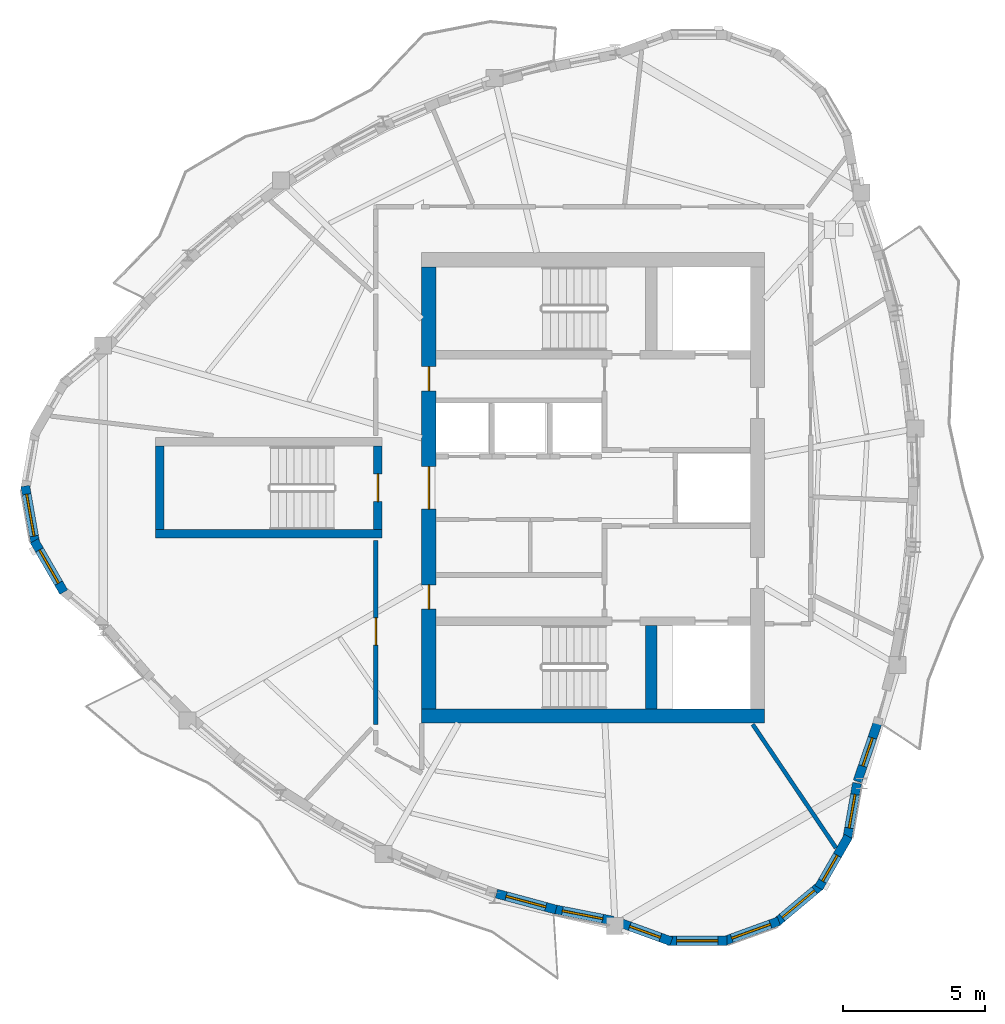
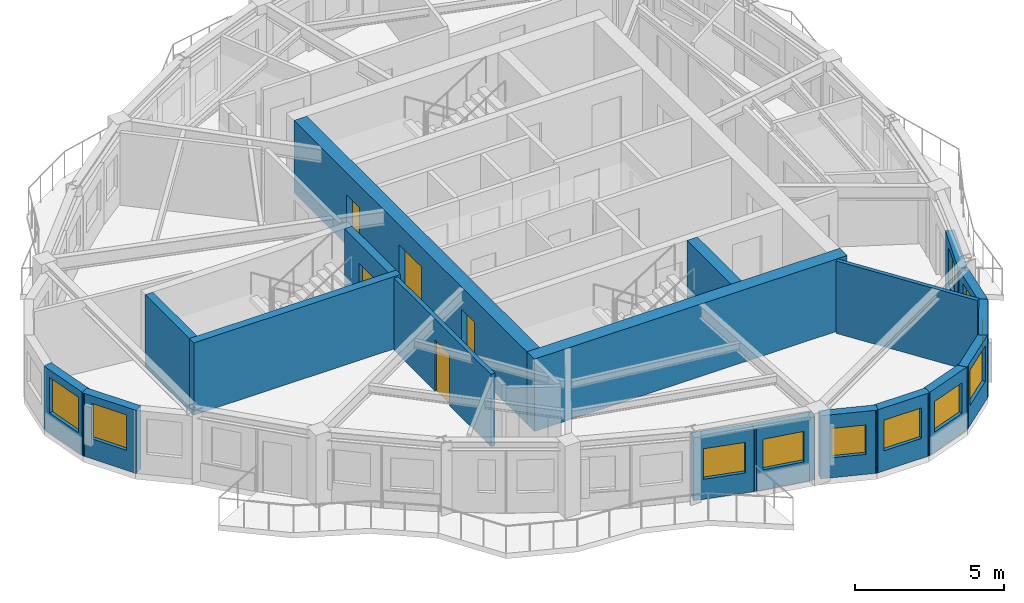
# One storey, part 3 of 11: 19 walls, 11 windows, 5 doors, 16 openings.
"""IFC4 building model written with IfcOpenShell, lengths in metres."""

from ifc_helpers import new_model, si_unit, direction, frame, frame_2d, origin, place, context, subcontext, project, spatial, rectangle, extrude, source, transform, mapped, material, layer, layer_set, type_object, element, fill, save


model = new_model("IFC4")

# Units and contexts
model_context = context("Model", 3, precision=1e-05, world=origin(), true_north=direction((0.0, 1.0)))
body_context = subcontext(model_context, "Body", "Model", "MODEL_VIEW")
ifc_project = project(units=[si_unit("LENGTHUNIT", "METRE"), si_unit("AREAUNIT", "SQUARE_METRE"), si_unit("VOLUMEUNIT", "CUBIC_METRE"), si_unit("PLANEANGLEUNIT", "RADIAN"), si_unit("MASSUNIT", "GRAM", prefix="KILO")], contexts=[model_context])

# Site, building, storey
site_placement = place(None, origin())
site = spatial("IfcSite", under=ifc_project, at=site_placement, CompositionType="ELEMENT")
building_placement = place(site_placement, origin())
building = spatial("IfcBuilding", under=site, at=building_placement, Name="Qafzar Sky-Pleat Residences", CompositionType="ELEMENT")
storey_placement = place(building_placement, frame((0.0, 0.0, 227.60009765625)))
storey = spatial("IfcBuildingStorey", under=building, at=storey_placement, Name="L68", CompositionType="ELEMENT", Elevation=227.60009765625)

# Wall, opening, door
ifc_material_1 = material(Name="Acoustic gypsum plasterboard partition", Category="gypsum")
ifc_layer_1 = layer(ifc_material_1, 0.159912109375)
ifc_layer_set_1 = layer_set([ifc_layer_1], Name="Acoustic gypsum plasterboard partition")
wall_type_1 = type_object("IfcWallType", Name="PART-COR-160", PredefinedType="PARTITIONING", material=ifc_layer_set_1)
wall_1_placement = place(storey_placement, frame((22.679931640625, 17.653076171875, 0.0), z_axis=(0.0, 0.0, 1.0), x_axis=(0.0, 1.0, 0.0)))
wall_1 = element("IfcWall", 1, at=wall_1_placement, inside=storey, type_object=wall_type_1, Name="L68 Partition Wall PART-L68-PW-001", PredefinedType="PARTITIONING", context=body_context, shape_type="SweptSolid", body=[
    extrude(rectangle(XDim=6.496826171875, YDim=0.159912109375, at=frame_2d((3.24853515625, 0.0))), origin(), (0.0, 0.0, 1.0), 2.9599609375),
])
opening_1_placement = place(wall_1_placement, frame((2.79638671875, 0.0, 0.0)))
opening_1 = element("IfcOpeningElement", 2, at=opening_1_placement, cuts=wall_1, Name="Opening ID-06", PredefinedType="OPENING", context=body_context, shape_type="SweptSolid", body=[
    extrude(rectangle(XDim=0.9599609375, YDim=2.10009765625, at=frame_2d((0.47998046875, 1.050048828125))), frame((0.0, 0.08984375, 0.0), z_axis=(0.0, -1.0, 0.0), x_axis=(1.0, 0.0, 0.0)), (0.0, 0.0, 1.0), 0.179931640625),
])
ifc_material_2 = material(Name="Timber-faced fire door", Category="wood")
door_type_1 = type_object("IfcDoorType", Name="DR-STD-960", OperationType="NOTDEFINED", PredefinedType="DOOR", material=ifc_material_2)
shared_shape_1 = source(origin(), body_context, "Body", "SweptSolid", [
    extrude(rectangle(XDim=0.9599609375, YDim=2.10009765625, at=frame_2d((0.47998046875, 1.050048828125))), frame((0.0, 0.02490234375, 0.0), z_axis=(0.0, -1.0, 0.0), x_axis=(1.0, 0.0, 0.0)), (0.0, 0.0, 1.0), 0.050048828125),
])
door_1_placement = place(opening_1_placement, origin())
door_1 = element("IfcDoor", 3, at=door_1_placement, inside=storey, type_object=door_type_1, Name="L68 Faculty Research Office Door", OperationType="SINGLE_SWING_RIGHT", OverallHeight=2.10009765625, OverallWidth=0.9599609375, PredefinedType="DOOR", context=body_context, shape_type="MappedRepresentation", body=[
    mapped(shared_shape_1, transform((0.0, 0.0, 0.0), x_axis=(1.0, 0.0, 0.0), y_axis=(0.0, 1.0, 0.0), z_axis=(0.0, 0.0, 1.0), scale=1.0)),
])
fill(opening_1, door_1)

# Wall
ifc_layer_2 = layer(ifc_material_1, 0.14501953125)
ifc_layer_set_2 = layer_set([ifc_layer_2], Name="Acoustic gypsum plasterboard partition")
wall_type_2 = type_object("IfcWallType", Name="PART-UNIT-145", PredefinedType="PARTITIONING", material=ifc_layer_set_2)
wall_2_placement = place(storey_placement, frame((35.978759765625, 17.65283203125, 0.0), z_axis=(0.0, 0.0, 1.0), x_axis=(0.559125350393, -0.829083133677, 0.0)))
element("IfcWall", 4, at=wall_2_placement, inside=storey, type_object=wall_type_2, Name="L68 Partition Wall PART-L68-PW-013", PredefinedType="PARTITIONING", context=body_context, shape_type="SweptSolid", body=[
    extrude(rectangle(XDim=5.26171875, YDim=0.14501953125, at=frame_2d((2.630859375, 0.0))), origin(), (0.0, 0.0, 1.0), 2.9599609375),
])

# Wall, opening, window
ifc_material_3 = material(Name="Precast concrete C40/50 with honed Riyadh limestone", Category="concrete")
ifc_layer_3 = layer(ifc_material_3, 0.320068359375)
ifc_layer_set_3 = layer_set([ifc_layer_3], Name="Precast concrete C40/50 with honed Riyadh limestone")
wall_type_3 = type_object("IfcWallType", Name="WALL-EXT-320", PredefinedType="SOLIDWALL", material=ifc_layer_set_3)
wall_3_placement = place(storey_placement, frame((10.305908203125, 26.065185546875, 0.0), z_axis=(0.0, 0.0, 1.0), x_axis=(0.173672066494, -0.984803540469, 0.0)))
wall_3 = element("IfcWall", 5, at=wall_3_placement, inside=storey, type_object=wall_type_3, Name="L68 Limestone Facade Wall 4", PredefinedType="SOLIDWALL", context=body_context, shape_type="SweptSolid", body=[
    extrude(rectangle(XDim=2.09033203125, YDim=0.320068359375, at=frame_2d((1.045166015625, 0.0))), origin(), (0.0, 0.0, 1.0), 2.579833984375),
])
opening_2_placement = place(wall_3_placement, frame((0.295166015625, 0.0, 0.820068359375)))
opening_2 = element("IfcOpeningElement", 6, at=opening_2_placement, cuts=wall_3, Name="Opening WN-03", PredefinedType="OPENING", context=body_context, shape_type="SweptSolid", body=[
    extrude(rectangle(XDim=1.5, YDim=1.449951171875, at=frame_2d((0.75, 0.72509765625))), frame((0.0, 0.169921875, 0.0), z_axis=(0.0, -1.0, 0.0), x_axis=(1.0, 0.0, 0.0)), (0.0, 0.0, 1.0), 0.340087890625),
])
ifc_material_4 = material(Name="Solar-control low-E glass in bronze aluminium frame", Category="glass")
window_type_1 = type_object("IfcWindowType", Name="WIN-03", PartitioningType="DOUBLE_PANEL_VERTICAL", PredefinedType="WINDOW", material=ifc_material_4)
shared_shape_2 = source(origin(), body_context, "Body", "SweptSolid", [
    extrude(rectangle(XDim=1.5, YDim=1.449951171875, at=frame_2d((0.75, 0.72509765625))), frame((0.0, 0.030029296875, 0.0), z_axis=(0.0, -1.0, 0.0), x_axis=(1.0, 0.0, 0.0)), (0.0, 0.0, 1.0), 0.06005859375),
])
window_1_placement = place(opening_2_placement, origin())
window_1 = element("IfcWindow", 7, at=window_1_placement, inside=storey, type_object=window_type_1, Name="L68 Punched Facade Window 04", OverallHeight=1.449951171875, OverallWidth=1.5, PartitioningType="SINGLE_PANEL", PredefinedType="WINDOW", context=body_context, shape_type="MappedRepresentation", body=[
    mapped(shared_shape_2, transform((0.0, 0.0, 0.0), x_axis=(1.0, 0.0, 0.0), y_axis=(0.0, 1.0, 0.0), z_axis=(0.0, 0.0, 1.0), scale=1.0)),
])
fill(opening_2, window_1)

wall_4_placement = place(storey_placement, frame((10.62451171875, 24.129150390625, 0.0), z_axis=(0.0, 0.0, 1.0), x_axis=(0.49990781971, -0.866078617559, 0.0)))
wall_4 = element("IfcWall", 8, at=wall_4_placement, inside=storey, type_object=wall_type_3, Name="L68 Limestone Facade Wall 5", PredefinedType="SOLIDWALL", context=body_context, shape_type="SweptSolid", body=[
    extrude(rectangle(XDim=2.09033203125, YDim=0.320068359375, at=frame_2d((1.045166015625, 0.0))), origin(), (0.0, 0.0, 1.0), 2.579833984375),
])
opening_3_placement = place(wall_4_placement, frame((0.3701171875, 0.0, 0.820068359375)))
opening_3 = element("IfcOpeningElement", 9, at=opening_3_placement, cuts=wall_4, Name="Opening WN-04", PredefinedType="OPENING", context=body_context, shape_type="SweptSolid", body=[
    extrude(rectangle(XDim=1.35009765625, YDim=1.449951171875, at=frame_2d((0.675048828125, 0.72509765625))), frame((0.0, 0.169921875, 0.0), z_axis=(0.0, -1.0, 0.0), x_axis=(1.0, 0.0, 0.0)), (0.0, 0.0, 1.0), 0.340087890625),
])
window_type_2 = type_object("IfcWindowType", Name="WIN-04", PartitioningType="SINGLE_PANEL", PredefinedType="WINDOW", material=ifc_material_4)
shared_shape_3 = source(origin(), body_context, "Body", "SweptSolid", [
    extrude(rectangle(XDim=1.35009765625, YDim=1.449951171875, at=frame_2d((0.675048828125, 0.72509765625))), frame((0.0, 0.030029296875, 0.0), z_axis=(0.0, -1.0, 0.0), x_axis=(1.0, 0.0, 0.0)), (0.0, 0.0, 1.0), 0.06005859375),
])
window_2_placement = place(opening_3_placement, origin())
window_2 = element("IfcWindow", 10, at=window_2_placement, inside=storey, type_object=window_type_2, Name="L68 Punched Facade Window 05", OverallHeight=1.449951171875, OverallWidth=1.35009765625, PartitioningType="SINGLE_PANEL", PredefinedType="WINDOW", context=body_context, shape_type="MappedRepresentation", body=[
    mapped(shared_shape_3, transform((0.0, 0.0, 0.0), x_axis=(1.0, 0.0, 0.0), y_axis=(0.0, 1.0, 0.0), z_axis=(0.0, 0.0, 1.0), scale=1.0)),
])
fill(opening_3, window_2)

wall_5_placement = place(storey_placement, frame((26.935791015625, 11.682861328125, 0.0), z_axis=(0.0, 0.0, 1.0), x_axis=(0.965433598317, -0.260649126683, 0.0)))
wall_5 = element("IfcWall", 11, at=wall_5_placement, inside=storey, type_object=wall_type_3, Name="L68 Limestone Facade Wall 15", PredefinedType="SOLIDWALL", context=body_context, shape_type="SweptSolid", body=[
    extrude(rectangle(XDim=2.1767578125, YDim=0.320068359375, at=frame_2d((1.08837890625, 0.0))), origin(), (0.0, 0.0, 1.0), 2.579833984375),
])
opening_4_placement = place(wall_5_placement, frame((0.353515625, 0.0, 0.820068359375)))
opening_4 = element("IfcOpeningElement", 12, at=opening_4_placement, cuts=wall_5, Name="Opening WN-15", PredefinedType="OPENING", context=body_context, shape_type="SweptSolid", body=[
    extrude(rectangle(XDim=1.449951171875, YDim=1.25, at=frame_2d((0.72509765625, 0.625))), frame((0.0, 0.169921875, 0.0), z_axis=(0.0, -1.0, 0.0), x_axis=(1.0, 0.0, 0.0)), (0.0, 0.0, 1.0), 0.340087890625),
])
window_type_3 = type_object("IfcWindowType", Name="WIN-15", PartitioningType="SINGLE_PANEL", PredefinedType="WINDOW", material=ifc_material_4)
shared_shape_4 = source(origin(), body_context, "Body", "SweptSolid", [
    extrude(rectangle(XDim=1.449951171875, YDim=1.25, at=frame_2d((0.72509765625, 0.625))), frame((0.0, 0.030029296875, 0.0), z_axis=(0.0, -1.0, 0.0), x_axis=(1.0, 0.0, 0.0)), (0.0, 0.0, 1.0), 0.06005859375),
])
window_3_placement = place(opening_4_placement, origin())
window_3 = element("IfcWindow", 13, at=window_3_placement, inside=storey, type_object=window_type_3, Name="L68 Punched Facade Window 15", OverallHeight=1.25, OverallWidth=1.449951171875, PartitioningType="SINGLE_PANEL", PredefinedType="WINDOW", context=body_context, shape_type="MappedRepresentation", body=[
    mapped(shared_shape_4, transform((0.0, 0.0, 0.0), x_axis=(1.0, 0.0, 0.0), y_axis=(0.0, 1.0, 0.0), z_axis=(0.0, 0.0, 1.0), scale=1.0)),
])
fill(opening_4, window_3)

wall_6_placement = place(storey_placement, frame((28.95263671875, 11.13525390625, 0.0), z_axis=(0.0, 0.0, 1.0), x_axis=(0.981238094161, -0.192799902921, 0.0)))
wall_6 = element("IfcWall", 14, at=wall_6_placement, inside=storey, type_object=wall_type_3, Name="L68 Limestone Facade Wall 16", PredefinedType="SOLIDWALL", context=body_context, shape_type="SweptSolid", body=[
    extrude(rectangle(XDim=2.152587890625, YDim=0.320068359375, at=frame_2d((1.076171875, 0.0))), origin(), (0.0, 0.0, 1.0), 2.579833984375),
])
opening_5_placement = place(wall_6_placement, frame((0.31640625, 0.0, 0.820068359375)))
opening_5 = element("IfcOpeningElement", 15, at=opening_5_placement, cuts=wall_6, Name="Opening WN-15", PredefinedType="OPENING", context=body_context, shape_type="SweptSolid", body=[
    extrude(rectangle(XDim=1.449951171875, YDim=1.25, at=frame_2d((0.72509765625, 0.625))), frame((0.0, 0.169921875, 0.0), z_axis=(0.0, -1.0, 0.0), x_axis=(1.0, 0.0, 0.0)), (0.0, 0.0, 1.0), 0.340087890625),
])
window_4_placement = place(opening_5_placement, origin())
window_4 = element("IfcWindow", 16, at=window_4_placement, inside=storey, type_object=window_type_3, Name="L68 Punched Facade Window 16", OverallHeight=1.25, OverallWidth=1.449951171875, PartitioningType="SINGLE_PANEL", PredefinedType="WINDOW", context=body_context, shape_type="MappedRepresentation", body=[
    mapped(shared_shape_4, transform((0.0, 0.0, 0.0), x_axis=(1.0, 0.0, 0.0), y_axis=(0.0, 1.0, 0.0), z_axis=(0.0, 0.0, 1.0), scale=1.0)),
])
fill(opening_5, window_4)

wall_7_placement = place(storey_placement, frame((31.26171875, 10.665283203125, 0.0), z_axis=(0.0, 0.0, 1.0), x_axis=(0.939695306975, -0.342012762991, 0.0)))
wall_7 = element("IfcWall", 17, at=wall_7_placement, inside=storey, type_object=wall_type_3, Name="L68 Limestone Facade Wall 17", PredefinedType="SOLIDWALL", context=body_context, shape_type="SweptSolid", body=[
    extrude(rectangle(XDim=1.96240234375, YDim=0.320068359375, at=frame_2d((0.981201171875, 0.0))), origin(), (0.0, 0.0, 1.0), 2.579833984375),
])
opening_6_placement = place(wall_7_placement, frame((0.401123046875, 0.0, 0.820068359375)))
opening_6 = element("IfcOpeningElement", 18, at=opening_6_placement, cuts=wall_7, Name="Opening WN-16", PredefinedType="OPENING", context=body_context, shape_type="SweptSolid", body=[
    extrude(rectangle(XDim=1.14990234375, YDim=1.199951171875, at=frame_2d((0.574951171875, 0.60009765625))), frame((0.0, 0.169921875, 0.0), z_axis=(0.0, -1.0, 0.0), x_axis=(1.0, 0.0, 0.0)), (0.0, 0.0, 1.0), 0.340087890625),
])
window_type_4 = type_object("IfcWindowType", Name="WIN-16", PartitioningType="SINGLE_PANEL", PredefinedType="WINDOW", material=ifc_material_4)
shared_shape_5 = source(origin(), body_context, "Body", "SweptSolid", [
    extrude(rectangle(XDim=1.14990234375, YDim=1.199951171875, at=frame_2d((0.574951171875, 0.60009765625))), frame((0.0, 0.030029296875, 0.0), z_axis=(0.0, -1.0, 0.0), x_axis=(1.0, 0.0, 0.0)), (0.0, 0.0, 1.0), 0.06005859375),
])
window_5_placement = place(opening_6_placement, origin())
window_5 = element("IfcWindow", 19, at=window_5_placement, inside=storey, type_object=window_type_4, Name="L68 Punched Facade Window 17", OverallHeight=1.199951171875, OverallWidth=1.14990234375, PartitioningType="SINGLE_PANEL", PredefinedType="WINDOW", context=body_context, shape_type="MappedRepresentation", body=[
    mapped(shared_shape_5, transform((0.0, 0.0, 0.0), x_axis=(1.0, 0.0, 0.0), y_axis=(0.0, 1.0, 0.0), z_axis=(0.0, 0.0, 1.0), scale=1.0)),
])
fill(opening_6, window_5)

wall_8_placement = place(storey_placement, frame((32.977294921875, 10.016845703125, 0.0), z_axis=(0.0, 0.0, 1.0), x_axis=(1.0, 0.0, 0.0)))
wall_8 = element("IfcWall", 20, at=wall_8_placement, inside=storey, type_object=wall_type_3, Name="L68 Limestone Facade Wall 18", PredefinedType="SOLIDWALL", context=body_context, shape_type="SweptSolid", body=[
    extrude(rectangle(XDim=2.09033203125, YDim=0.320068359375, at=frame_2d((1.045166015625, 0.0))), origin(), (0.0, 0.0, 1.0), 2.579833984375),
])
opening_7_placement = place(wall_8_placement, frame((0.3203125, 0.0, 0.820068359375)))
opening_7 = element("IfcOpeningElement", 21, at=opening_7_placement, cuts=wall_8, Name="Opening WN-15", PredefinedType="OPENING", context=body_context, shape_type="SweptSolid", body=[
    extrude(rectangle(XDim=1.449951171875, YDim=1.25, at=frame_2d((0.72509765625, 0.625))), frame((0.0, 0.169921875, 0.0), z_axis=(0.0, -1.0, 0.0), x_axis=(1.0, 0.0, 0.0)), (0.0, 0.0, 1.0), 0.340087890625),
])
window_6_placement = place(opening_7_placement, origin())
window_6 = element("IfcWindow", 22, at=window_6_placement, inside=storey, type_object=window_type_3, Name="L68 Punched Facade Window 18", OverallHeight=1.25, OverallWidth=1.449951171875, PartitioningType="SINGLE_PANEL", PredefinedType="WINDOW", context=body_context, shape_type="MappedRepresentation", body=[
    mapped(shared_shape_4, transform((0.0, 0.0, 0.0), x_axis=(1.0, 0.0, 0.0), y_axis=(0.0, 1.0, 0.0), z_axis=(0.0, 0.0, 1.0), scale=1.0)),
])
fill(opening_7, window_6)

wall_9_placement = place(storey_placement, frame((34.939208984375, 9.994140625, 0.0), z_axis=(0.0, 0.0, 1.0), x_axis=(0.939711556618, 0.341968113072, 0.0)))
wall_9 = element("IfcWall", 23, at=wall_9_placement, inside=storey, type_object=wall_type_3, Name="L68 Limestone Facade Wall 19", PredefinedType="SOLIDWALL", context=body_context, shape_type="SweptSolid", body=[
    extrude(rectangle(XDim=2.09033203125, YDim=0.320068359375, at=frame_2d((1.045166015625, 0.0))), origin(), (0.0, 0.0, 1.0), 2.579833984375),
])
opening_8_placement = place(wall_9_placement, frame((0.3203125, 0.0, 0.820068359375)))
opening_8 = element("IfcOpeningElement", 24, at=opening_8_placement, cuts=wall_9, Name="Opening WN-15", PredefinedType="OPENING", context=body_context, shape_type="SweptSolid", body=[
    extrude(rectangle(XDim=1.449951171875, YDim=1.25, at=frame_2d((0.72509765625, 0.625))), frame((0.0, 0.169921875, 0.0), z_axis=(0.0, -1.0, 0.0), x_axis=(1.0, 0.0, 0.0)), (0.0, 0.0, 1.0), 0.340087890625),
])
window_7_placement = place(opening_8_placement, origin())
window_7 = element("IfcWindow", 25, at=window_7_placement, inside=storey, type_object=window_type_3, Name="L68 Punched Facade Window 19", OverallHeight=1.25, OverallWidth=1.449951171875, PartitioningType="SINGLE_PANEL", PredefinedType="WINDOW", context=body_context, shape_type="MappedRepresentation", body=[
    mapped(shared_shape_4, transform((0.0, 0.0, 0.0), x_axis=(1.0, 0.0, 0.0), y_axis=(0.0, 1.0, 0.0), z_axis=(0.0, 0.0, 1.0), scale=1.0)),
])
fill(opening_8, window_7)

wall_10_placement = place(storey_placement, frame((36.79052734375, 10.643798828125, 0.0), z_axis=(0.0, 0.0, 1.0), x_axis=(0.766024572719, 0.642811289563, 0.0)))
wall_10 = element("IfcWall", 26, at=wall_10_placement, inside=storey, type_object=wall_type_3, Name="L68 Limestone Facade Wall 20", PredefinedType="SOLIDWALL", context=body_context, shape_type="SweptSolid", body=[
    extrude(rectangle(XDim=2.09033203125, YDim=0.320068359375, at=frame_2d((1.045166015625, 0.0))), origin(), (0.0, 0.0, 1.0), 2.579833984375),
])
opening_9_placement = place(wall_10_placement, frame((0.295166015625, 0.0, 0.820068359375)))
opening_9 = element("IfcOpeningElement", 27, at=opening_9_placement, cuts=wall_10, Name="Opening WN-03", PredefinedType="OPENING", context=body_context, shape_type="SweptSolid", body=[
    extrude(rectangle(XDim=1.5, YDim=1.449951171875, at=frame_2d((0.75, 0.72509765625))), frame((0.0, 0.169921875, 0.0), z_axis=(0.0, -1.0, 0.0), x_axis=(1.0, 0.0, 0.0)), (0.0, 0.0, 1.0), 0.340087890625),
])
window_8_placement = place(opening_9_placement, origin())
window_8 = element("IfcWindow", 28, at=window_8_placement, inside=storey, type_object=window_type_1, Name="L68 Punched Facade Window 20", OverallHeight=1.449951171875, OverallWidth=1.5, PartitioningType="SINGLE_PANEL", PredefinedType="WINDOW", context=body_context, shape_type="MappedRepresentation", body=[
    mapped(shared_shape_2, transform((0.0, 0.0, 0.0), x_axis=(1.0, 0.0, 0.0), y_axis=(0.0, 1.0, 0.0), z_axis=(0.0, 0.0, 1.0), scale=1.0)),
])
fill(opening_9, window_8)

wall_11_placement = place(storey_placement, frame((38.30810546875, 11.8876953125, 0.0), z_axis=(0.0, 0.0, 1.0), x_axis=(0.49990781971, 0.866078617559, 0.0)))
wall_11 = element("IfcWall", 29, at=wall_11_placement, inside=storey, type_object=wall_type_3, Name="L68 Limestone Facade Wall 21", PredefinedType="SOLIDWALL", context=body_context, shape_type="SweptSolid", body=[
    extrude(rectangle(XDim=2.09033203125, YDim=0.320068359375, at=frame_2d((1.045166015625, 0.0))), origin(), (0.0, 0.0, 1.0), 2.579833984375),
])
opening_10_placement = place(wall_11_placement, frame((0.2705078125, 0.0, 0.820068359375)))
opening_10 = element("IfcOpeningElement", 30, at=opening_10_placement, cuts=wall_11, Name="Opening WN-06", PredefinedType="OPENING", context=body_context, shape_type="SweptSolid", body=[
    extrude(rectangle(XDim=1.050048828125, YDim=1.449951171875, at=frame_2d((0.52490234375, 0.72509765625))), frame((0.0, 0.169921875, 0.0), z_axis=(0.0, -1.0, 0.0), x_axis=(1.0, 0.0, 0.0)), (0.0, 0.0, 1.0), 0.340087890625),
])
window_type_5 = type_object("IfcWindowType", Name="WIN-06", PartitioningType="SINGLE_PANEL", PredefinedType="WINDOW", material=ifc_material_4)
shared_shape_6 = source(origin(), body_context, "Body", "SweptSolid", [
    extrude(rectangle(XDim=1.050048828125, YDim=1.449951171875, at=frame_2d((0.52490234375, 0.72509765625))), frame((0.0, 0.030029296875, 0.0), z_axis=(0.0, -1.0, 0.0), x_axis=(1.0, 0.0, 0.0)), (0.0, 0.0, 1.0), 0.06005859375),
])
window_9_placement = place(opening_10_placement, origin())
window_9 = element("IfcWindow", 31, at=window_9_placement, inside=storey, type_object=window_type_5, Name="L68 Punched Facade Window 21", OverallHeight=1.449951171875, OverallWidth=1.050048828125, PartitioningType="SINGLE_PANEL", PredefinedType="WINDOW", context=body_context, shape_type="MappedRepresentation", body=[
    mapped(shared_shape_6, transform((0.0, 0.0, 0.0), x_axis=(1.0, 0.0, 0.0), y_axis=(0.0, 1.0, 0.0), z_axis=(0.0, 0.0, 1.0), scale=1.0)),
])
fill(opening_10, window_9)

wall_12_placement = place(storey_placement, frame((39.30859375, 13.575439453125, 0.0), z_axis=(0.0, 0.0, 1.0), x_axis=(0.17370309897, 0.984798067326, 0.0)))
wall_12 = element("IfcWall", 32, at=wall_12_placement, inside=storey, type_object=wall_type_3, Name="L68 Limestone Facade Wall 22", PredefinedType="SOLIDWALL", context=body_context, shape_type="SweptSolid", body=[
    extrude(rectangle(XDim=2.032470703125, YDim=0.320068359375, at=frame_2d((1.01611328125, 0.0))), origin(), (0.0, 0.0, 1.0), 2.579833984375),
])
opening_11_placement = place(wall_12_placement, frame((0.42626953125, 0.0, 0.820068359375)))
opening_11 = element("IfcOpeningElement", 33, at=opening_11_placement, cuts=wall_12, Name="Opening WN-05", PredefinedType="OPENING", context=body_context, shape_type="SweptSolid", body=[
    extrude(rectangle(XDim=1.199951171875, YDim=1.449951171875, at=frame_2d((0.60009765625, 0.72509765625))), frame((0.0, 0.169921875, 0.0), z_axis=(0.0, -1.0, 0.0), x_axis=(1.0, 0.0, 0.0)), (0.0, 0.0, 1.0), 0.340087890625),
])
window_type_6 = type_object("IfcWindowType", Name="WIN-05", PartitioningType="SINGLE_PANEL", PredefinedType="WINDOW", material=ifc_material_4)
shared_shape_7 = source(origin(), body_context, "Body", "SweptSolid", [
    extrude(rectangle(XDim=1.199951171875, YDim=1.449951171875, at=frame_2d((0.60009765625, 0.72509765625))), frame((0.0, 0.030029296875, 0.0), z_axis=(0.0, -1.0, 0.0), x_axis=(1.0, 0.0, 0.0)), (0.0, 0.0, 1.0), 0.06005859375),
])
window_10_placement = place(opening_11_placement, origin())
window_10 = element("IfcWindow", 34, at=window_10_placement, inside=storey, type_object=window_type_6, Name="L68 Punched Facade Window 22", OverallHeight=1.449951171875, OverallWidth=1.199951171875, PartitioningType="SINGLE_PANEL", PredefinedType="WINDOW", context=body_context, shape_type="MappedRepresentation", body=[
    mapped(shared_shape_7, transform((0.0, 0.0, 0.0), x_axis=(1.0, 0.0, 0.0), y_axis=(0.0, 1.0, 0.0), z_axis=(0.0, 0.0, 1.0), scale=1.0)),
])
fill(opening_11, window_10)

wall_13_placement = place(storey_placement, frame((39.677490234375, 15.639404296875, 0.0), z_axis=(0.0, 0.0, 1.0), x_axis=(0.323664392341, 0.946171951143, 0.0)))
wall_13 = element("IfcWall", 35, at=wall_13_placement, inside=storey, type_object=wall_type_3, Name="L68 Limestone Facade Wall 23", PredefinedType="SOLIDWALL", context=body_context, shape_type="SweptSolid", body=[
    extrude(rectangle(XDim=2.222900390625, YDim=0.320068359375, at=frame_2d((1.111328125, 0.0))), origin(), (0.0, 0.0, 1.0), 2.579833984375),
])
opening_12_placement = place(wall_13_placement, frame((0.576416015625, 0.0, 0.820068359375)))
opening_12 = element("IfcOpeningElement", 36, at=opening_12_placement, cuts=wall_13, Name="Opening WN-06", PredefinedType="OPENING", context=body_context, shape_type="SweptSolid", body=[
    extrude(rectangle(XDim=1.050048828125, YDim=1.449951171875, at=frame_2d((0.52490234375, 0.72509765625))), frame((0.0, 0.169921875, 0.0), z_axis=(0.0, -1.0, 0.0), x_axis=(1.0, 0.0, 0.0)), (0.0, 0.0, 1.0), 0.340087890625),
])
window_11_placement = place(opening_12_placement, origin())
window_11 = element("IfcWindow", 37, at=window_11_placement, inside=storey, type_object=window_type_5, Name="L68 Punched Facade Window 23", OverallHeight=1.449951171875, OverallWidth=1.050048828125, PartitioningType="SINGLE_PANEL", PredefinedType="WINDOW", context=body_context, shape_type="MappedRepresentation", body=[
    mapped(shared_shape_6, transform((0.0, 0.0, 0.0), x_axis=(1.0, 0.0, 0.0), y_axis=(0.0, 1.0, 0.0), z_axis=(0.0, 0.0, 1.0), scale=1.0)),
])
fill(opening_12, window_11)

# Walls
ifc_material_5 = material(Name="Concrete C60/75", Category="concrete")
ifc_layer_4 = layer(ifc_material_5, 0.300048828125)
ifc_layer_set_4 = layer_set([ifc_layer_4], Name="Concrete C60/75")
wall_type_4 = type_object("IfcWallType", Name="WALL-SHEAR-300", PredefinedType="SHEAR", material=ifc_layer_set_4)
wall_14_placement = place(storey_placement, frame((14.89990234375, 24.375, 0.0), z_axis=(0.0, 0.0, 1.0), x_axis=(1.0, 0.0, 0.0)))
element("IfcWall", 38, at=wall_14_placement, inside=storey, type_object=wall_type_4, Name="L68 ST3 wall S", PredefinedType="SHEAR", context=body_context, shape_type="SweptSolid", body=[
    extrude(rectangle(XDim=8.0, YDim=0.300048828125, at=frame_2d((4.0, 0.0))), origin(), (0.0, 0.0, 1.0), 2.9599609375),
])
wall_15_placement = place(storey_placement, frame((15.050048828125, 27.47509765625, 0.0), z_axis=(0.0, 0.0, 1.0), x_axis=(0.0, -1.0, 0.0)))
element("IfcWall", 39, at=wall_15_placement, inside=storey, type_object=wall_type_4, Name="L68 ST3 wall W", PredefinedType="SHEAR", context=body_context, shape_type="SweptSolid", body=[
    extrude(rectangle(XDim=2.9501953125, YDim=0.300048828125, at=frame_2d((1.47509765625, 0.0))), origin(), (0.0, 0.0, 1.0), 2.9599609375),
])

# Wall, opening, door
wall_16_placement = place(storey_placement, frame((22.75, 24.52490234375, 0.0), z_axis=(0.0, 0.0, 1.0), x_axis=(0.0, 1.0, 0.0)))
wall_16 = element("IfcWall", 40, at=wall_16_placement, inside=storey, type_object=wall_type_4, Name="L68 ST3 wall E", PredefinedType="SHEAR", context=body_context, shape_type="SweptSolid", body=[
    extrude(rectangle(XDim=2.9501953125, YDim=0.300048828125, at=frame_2d((1.47509765625, 0.0))), origin(), (0.0, 0.0, 1.0), 2.9599609375),
])
opening_13_placement = place(wall_16_placement, frame((0.985107421875, 0.0, 0.0)))
opening_13 = element("IfcOpeningElement", 41, at=opening_13_placement, cuts=wall_16, Name="Opening ID-01", PredefinedType="OPENING", context=body_context, shape_type="SweptSolid", body=[
    extrude(rectangle(XDim=0.97998046875, YDim=2.14990234375, at=frame_2d((0.489990234375, 1.074951171875))), frame((0.0, 0.16015625, 0.0), z_axis=(0.0, -1.0, 0.0), x_axis=(1.0, 0.0, 0.0)), (0.0, 0.0, 1.0), 0.320068359375),
])
door_type_2 = type_object("IfcDoorType", Name="DR-STAIR-980", OperationType="NOTDEFINED", PredefinedType="DOOR", material=ifc_material_2)
shared_shape_8 = source(origin(), body_context, "Body", "SweptSolid", [
    extrude(rectangle(XDim=0.97998046875, YDim=2.14990234375, at=frame_2d((0.489990234375, 1.074951171875))), frame((0.0, 0.02490234375, 0.0), z_axis=(0.0, -1.0, 0.0), x_axis=(1.0, 0.0, 0.0)), (0.0, 0.0, 1.0), 0.050048828125),
])
door_2_placement = place(opening_13_placement, origin())
door_2 = element("IfcDoor", 42, at=door_2_placement, inside=storey, type_object=door_type_2, Name="L68 Stair ST3 Fire Door", OperationType="SINGLE_SWING_LEFT", OverallHeight=2.14990234375, OverallWidth=0.97998046875, PredefinedType="DOOR", context=body_context, shape_type="MappedRepresentation", body=[
    mapped(shared_shape_8, transform((0.0, 0.0, 0.0), x_axis=(1.0, 0.0, 0.0), y_axis=(0.0, 1.0, 0.0), z_axis=(0.0, 0.0, 1.0), scale=1.0)),
])
fill(opening_13, door_2)

# Walls
ifc_layer_5 = layer(ifc_material_5, 0.39990234375)
ifc_layer_set_5 = layer_set([ifc_layer_5], Name="Concrete C60/75")
wall_type_5 = type_object("IfcWallType", Name="WALL-SHEAR-400", PredefinedType="SHEAR", material=ifc_layer_set_5)
wall_17_placement = place(storey_placement, frame((32.39990234375, 18.199951171875, 0.0), z_axis=(0.0, 0.0, 1.0), x_axis=(0.0, 1.0, 0.0)))
element("IfcWall", 43, at=wall_17_placement, inside=storey, type_object=wall_type_5, Name="L68 Stair ST1 East Dividing Wall", PredefinedType="SHEAR", context=body_context, shape_type="SweptSolid", body=[
    extrude(rectangle(XDim=2.949951171875, YDim=0.39990234375, at=frame_2d((1.47509765625, 0.0))), origin(), (0.0, 0.0, 1.0), 2.9599609375),
])
ifc_layer_6 = layer(ifc_material_5, 0.5)
ifc_layer_set_6 = layer_set([ifc_layer_6], Name="Concrete C60/75")
wall_type_6 = type_object("IfcWallType", Name="WALL-SHEAR-500", PredefinedType="SHEAR", material=ifc_layer_set_6)
wall_18_placement = place(storey_placement, frame((24.300048828125, 17.949951171875, 0.0), z_axis=(0.0, 0.0, 1.0), x_axis=(1.0, 0.0, 0.0)))
element("IfcWall", 44, at=wall_18_placement, inside=storey, type_object=wall_type_6, Name="L68 CORE wall S", PredefinedType="SHEAR", context=body_context, shape_type="SweptSolid", body=[
    extrude(rectangle(XDim=12.099853515625, YDim=0.5, at=frame_2d((6.0498046875, 0.0))), origin(), (0.0, 0.0, 1.0), 2.9599609375),
])

# Wall, openings, doors
wall_19_placement = place(storey_placement, frame((24.550048828125, 33.800048828125, 0.0), z_axis=(0.0, 0.0, 1.0), x_axis=(0.0, -1.0, 0.0)))
wall_19 = element("IfcWall", 45, at=wall_19_placement, inside=storey, type_object=wall_type_6, Name="L68 CORE wall W", PredefinedType="SHEAR", context=body_context, shape_type="SweptSolid", body=[
    extrude(rectangle(XDim=15.60009765625, YDim=0.5, at=frame_2d((7.800048828125, 0.0))), origin(), (0.0, 0.0, 1.0), 2.9599609375),
])
opening_14_placement = place(wall_19_placement, frame((7.050048828125, 0.0, 0.0)))
opening_14 = element("IfcOpeningElement", 46, at=opening_14_placement, cuts=wall_19, Name="Opening ID-03", PredefinedType="OPENING", context=body_context, shape_type="SweptSolid", body=[
    extrude(rectangle(XDim=1.5, YDim=2.14990234375, at=frame_2d((0.75, 1.074951171875))), frame((0.0, 0.260009765625, 0.0), z_axis=(0.0, -1.0, 0.0), x_axis=(1.0, 0.0, 0.0)), (0.0, 0.0, 1.0), 0.52001953125),
])
opening_15_placement = place(wall_19_placement, frame((3.52001953125, 0.0, 0.0)))
opening_15 = element("IfcOpeningElement", 47, at=opening_15_placement, cuts=wall_19, Name="Opening ID-09", PredefinedType="OPENING", context=body_context, shape_type="SweptSolid", body=[
    extrude(rectangle(XDim=0.860107421875, YDim=2.050048828125, at=frame_2d((0.43017578125, 1.02490234375))), frame((0.0, 0.260009765625, 0.0), z_axis=(0.0, -1.0, 0.0), x_axis=(1.0, 0.0, 0.0)), (0.0, 0.0, 1.0), 0.52001953125),
])
opening_16_placement = place(wall_19_placement, frame((11.219970703125, 0.0, 0.0)))
opening_16 = element("IfcOpeningElement", 48, at=opening_16_placement, cuts=wall_19, Name="Opening ID-09", PredefinedType="OPENING", context=body_context, shape_type="SweptSolid", body=[
    extrude(rectangle(XDim=0.860107421875, YDim=2.050048828125, at=frame_2d((0.43017578125, 1.02490234375))), frame((0.0, 0.260009765625, 0.0), z_axis=(0.0, -1.0, 0.0), x_axis=(1.0, 0.0, 0.0)), (0.0, 0.0, 1.0), 0.52001953125),
])
door_type_3 = type_object("IfcDoorType", Name="DR-COR-1500", OperationType="DOUBLE_DOOR_SINGLE_SWING", PredefinedType="DOOR", material=ifc_material_2)
shared_shape_9 = source(origin(), body_context, "Body", "SweptSolid", [
    extrude(rectangle(XDim=1.5, YDim=2.14990234375, at=frame_2d((0.75, 1.074951171875))), frame((0.0, 0.02490234375, 0.0), z_axis=(0.0, -1.0, 0.0), x_axis=(1.0, 0.0, 0.0)), (0.0, 0.0, 1.0), 0.050048828125),
])
door_3_placement = place(opening_14_placement, origin())
door_3 = element("IfcDoor", 49, at=door_3_placement, inside=storey, type_object=door_type_3, Name="L68 Lift Lobby West Double Door", OperationType="DOUBLE_DOOR_SINGLE_SWING", OverallHeight=2.14990234375, OverallWidth=1.5, PredefinedType="DOOR", context=body_context, shape_type="MappedRepresentation", body=[
    mapped(shared_shape_9, transform((0.0, 0.0, 0.0), x_axis=(1.0, 0.0, 0.0), y_axis=(0.0, 1.0, 0.0), z_axis=(0.0, 0.0, 1.0), scale=1.0)),
])
fill(opening_14, door_3)
door_type_4 = type_object("IfcDoorType", Name="DR-SVC-860", OperationType="NOTDEFINED", PredefinedType="DOOR", material=ifc_material_2)
shared_shape_10 = source(origin(), body_context, "Body", "SweptSolid", [
    extrude(rectangle(XDim=0.860107421875, YDim=2.050048828125, at=frame_2d((0.43017578125, 1.02490234375))), frame((0.0, 0.02490234375, 0.0), z_axis=(0.0, -1.0, 0.0), x_axis=(1.0, 0.0, 0.0)), (0.0, 0.0, 1.0), 0.050048828125),
])
door_4_placement = place(opening_15_placement, origin())
door_4 = element("IfcDoor", 50, at=door_4_placement, inside=storey, type_object=door_type_4, Name="L68 Core North-West Service Door", OperationType="SINGLE_SWING_RIGHT", OverallHeight=2.050048828125, OverallWidth=0.860107421875, PredefinedType="DOOR", context=body_context, shape_type="MappedRepresentation", body=[
    mapped(shared_shape_10, transform((0.0, 0.0, 0.0), x_axis=(1.0, 0.0, 0.0), y_axis=(0.0, 1.0, 0.0), z_axis=(0.0, 0.0, 1.0), scale=1.0)),
])
fill(opening_15, door_4)
door_5_placement = place(opening_16_placement, origin())
door_5 = element("IfcDoor", 51, at=door_5_placement, inside=storey, type_object=door_type_4, Name="L68 Core South-West Service Door", OperationType="SINGLE_SWING_LEFT", OverallHeight=2.050048828125, OverallWidth=0.860107421875, PredefinedType="DOOR", context=body_context, shape_type="MappedRepresentation", body=[
    mapped(shared_shape_10, transform((0.0, 0.0, 0.0), x_axis=(1.0, 0.0, 0.0), y_axis=(0.0, 1.0, 0.0), z_axis=(0.0, 0.0, 1.0), scale=1.0)),
])
fill(opening_16, door_5)

save(model, "model.ifc")
